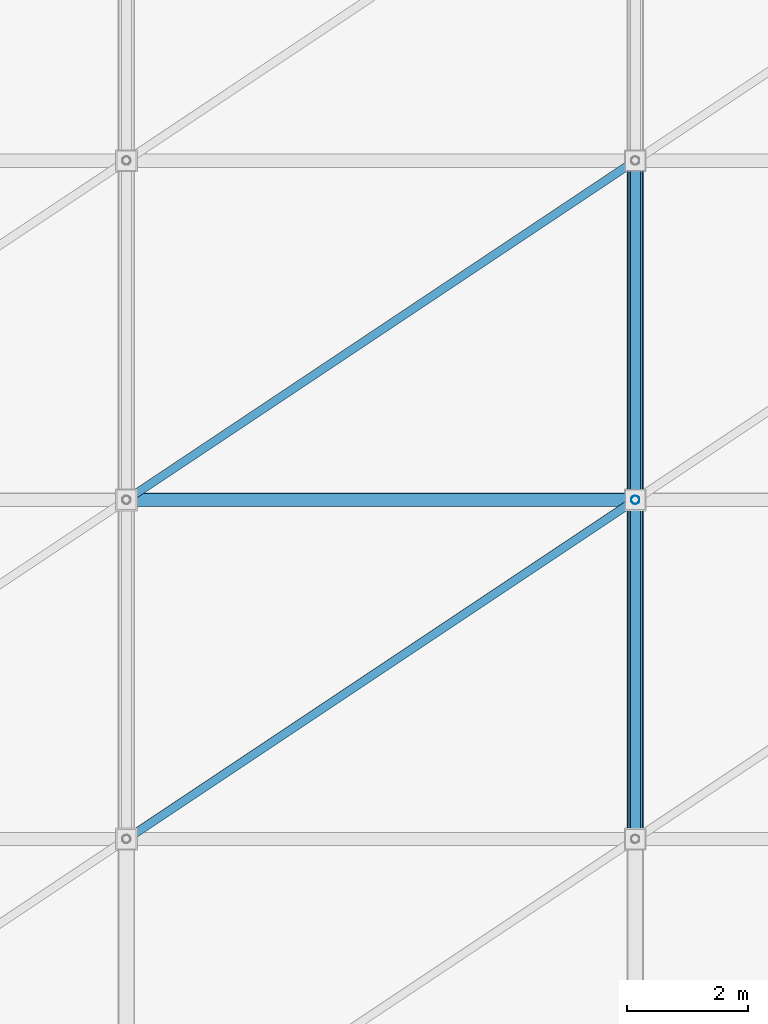
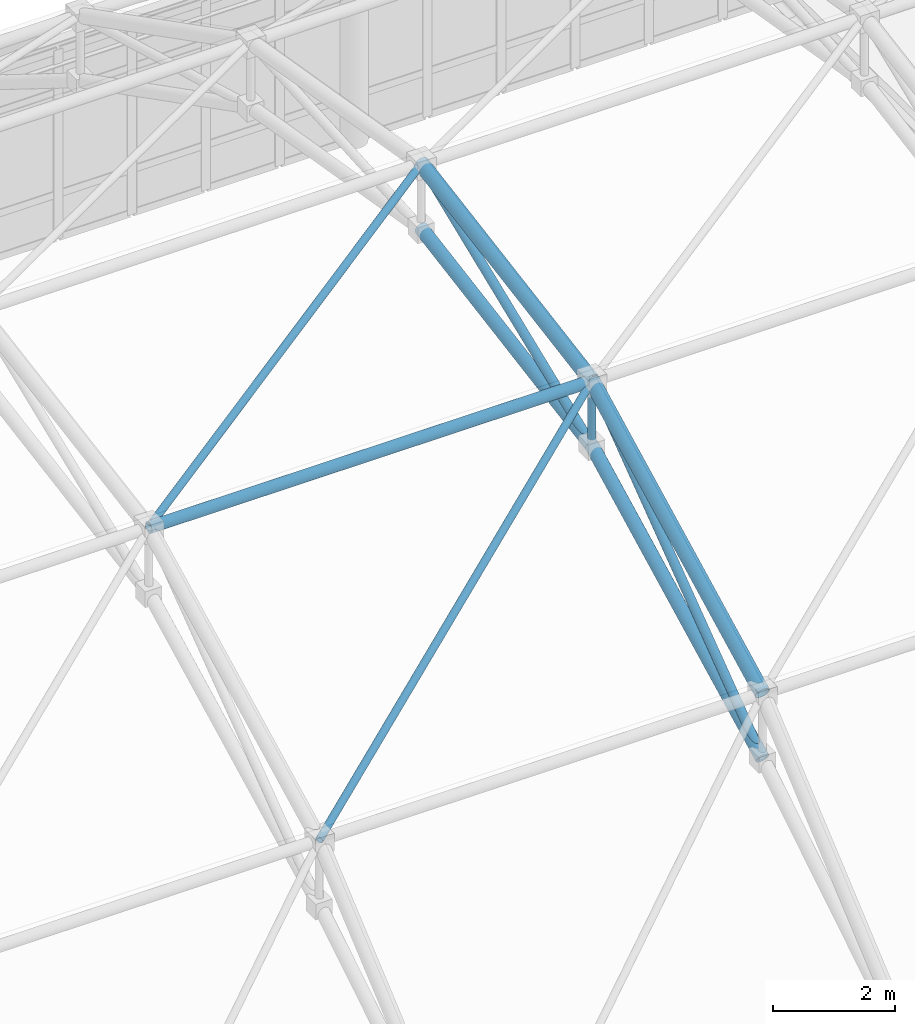
# One storey, part 73 of 184: 10 members.
"""IFC4 building model written with IfcOpenShell, lengths in metres."""

from ifc_helpers import new_model, si_unit, direction, frame, origin, origin_2d, place, context, subcontext, project, spatial, hollow_circle, extrude, material, material_profile, profile_set, type_object, element, save


model = new_model("IFC4")

# Units and contexts
model_context = context("Model", 3, precision=1e-05, world=origin(), true_north=direction((0.0, 1.0)))
body_context = subcontext(model_context, "Body", "Model", "MODEL_VIEW")
ifc_project = project(units=[si_unit("LENGTHUNIT", "METRE"), si_unit("AREAUNIT", "SQUARE_METRE"), si_unit("VOLUMEUNIT", "CUBIC_METRE"), si_unit("PLANEANGLEUNIT", "RADIAN"), si_unit("MASSUNIT", "GRAM", prefix="KILO")], contexts=[model_context])

# Site, building, storey
site_placement = place(None, origin())
site = spatial("IfcSite", under=ifc_project, at=site_placement, CompositionType="ELEMENT")
building_placement = place(site_placement, origin())
building = spatial("IfcBuilding", under=site, at=building_placement, Name="Qalvenar Corner Mobility Hub", CompositionType="ELEMENT")
storey_placement = place(building_placement, frame((0.0, 0.0, 9.0)))
storey = spatial("IfcBuildingStorey", under=building, at=storey_placement, Name="L02", CompositionType="ELEMENT", Elevation=9.0)

# Members
ifc_material = material(Name="Steel S355", Category="steel")
ifc_material_profile_1 = material_profile(ifc_material, hollow_circle(Radius=0.109619140625, WallThickness=0.008056640625, at=origin_2d()), Name="CHS219.1x8")
ifc_profile_set_1 = profile_set([ifc_material_profile_1], Name="Steel S355")
member_type_1 = type_object("IfcMemberType", Name="SF-CHD219", PredefinedType="CHORD", material=ifc_profile_set_1)
member_1_placement = place(storey_placement, frame((84.0, 11.199951171875, 11.704345703125), z_axis=(1.0, 0.0, 0.0), x_axis=(0.0, 1.0, 0.0)))
element("IfcMember", 1, at=member_1_placement, inside=storey, type_object=member_type_1, Name="Space Frame Longitudinal Chord SFL-0214", PredefinedType="CHORD", context=body_context, shape_type="SweptSolid", body=[
    extrude(hollow_circle(Radius=0.109619140625, WallThickness=0.008056640625, at=origin_2d()), origin(), (0.0, 0.0, 1.0), 8.39990234375),
])
ifc_material_profile_2 = material_profile(ifc_material, hollow_circle(Radius=0.122314453125, WallThickness=0.0087890625, at=origin_2d()), Name="CHS244.5x8.8")
ifc_profile_set_2 = profile_set([ifc_material_profile_2], Name="Steel S355")
member_type_2 = type_object("IfcMemberType", Name="SF-CHD244", PredefinedType="CHORD", material=ifc_profile_set_2)
member_2_placement = place(storey_placement, frame((92.39990234375, 5.60009765625, 7.537841796875), z_axis=(0.0, 0.890157020212, 0.455653903052), x_axis=(-1.0, 0.0, 0.0)))
element("IfcMember", 2, at=member_2_placement, inside=storey, type_object=member_type_2, Name="Space Frame Bottom Chord SFBC-0109", PredefinedType="CHORD", context=body_context, shape_type="SweptSolid", body=[
    extrude(hollow_circle(Radius=0.122314453125, WallThickness=0.0087890625, at=origin_2d()), origin(), (0.0, 0.0, 1.0), 6.290771484375),
])
member_3_placement = place(storey_placement, frame((92.39990234375, 11.199951171875, 10.404296875), z_axis=(0.0, 0.985745292256, 0.168244520847), x_axis=(-1.0, 0.0, 0.0)))
element("IfcMember", 3, at=member_3_placement, inside=storey, type_object=member_type_2, Name="Space Frame Bottom Chord SFBC-0112", PredefinedType="CHORD", context=body_context, shape_type="SweptSolid", body=[
    extrude(hollow_circle(Radius=0.122314453125, WallThickness=0.0087890625, at=origin_2d()), origin(), (0.0, 0.0, 1.0), 5.68115234375),
])
ifc_material_profile_3 = material_profile(ifc_material, hollow_circle(Radius=0.136474609375, WallThickness=0.010009765625, at=origin_2d()), Name="CHS273x10")
ifc_profile_set_3 = profile_set([ifc_material_profile_3], Name="Steel S355")
member_type_3 = type_object("IfcMemberType", Name="SF-CHD273", PredefinedType="CHORD", material=ifc_profile_set_3)
member_4_placement = place(storey_placement, frame((92.39990234375, 5.60009765625, 8.837890625), z_axis=(0.0, 0.890157020212, 0.455653903052), x_axis=(-1.0, 0.0, 0.0)))
element("IfcMember", 4, at=member_4_placement, inside=storey, type_object=member_type_3, Name="Space Frame Top Chord SFTC-0108", PredefinedType="CHORD", context=body_context, shape_type="SweptSolid", body=[
    extrude(hollow_circle(Radius=0.136474609375, WallThickness=0.010009765625, at=origin_2d()), origin(), (0.0, 0.0, 1.0), 6.290771484375),
])
member_5_placement = place(storey_placement, frame((92.39990234375, 11.199951171875, 11.704345703125), z_axis=(0.0, 0.985752418555, 0.1682027625), x_axis=(-1.0, 0.0, 0.0)))
element("IfcMember", 5, at=member_5_placement, inside=storey, type_object=member_type_3, Name="Space Frame Top Chord SFTC-0111", PredefinedType="CHORD", context=body_context, shape_type="SweptSolid", body=[
    extrude(hollow_circle(Radius=0.136474609375, WallThickness=0.010009765625, at=origin_2d()), origin(), (0.0, 0.0, 1.0), 5.68115234375),
])
ifc_material_profile_4 = material_profile(ifc_material, hollow_circle(Radius=0.06982421875, WallThickness=0.0048828125, at=origin_2d()), Name="CHS139.7x5")
ifc_profile_set_4 = profile_set([ifc_material_profile_4], Name="Steel S355")
member_type_4 = type_object("IfcMemberType", Name="SF-STR139", PredefinedType="STRUT", material=ifc_profile_set_4)
member_6_placement = place(storey_placement, frame((92.39990234375, 11.199951171875, 10.404296875), z_axis=(0.0, 0.0, 1.0), x_axis=(1.0, 0.0, 0.0)))
element("IfcMember", 6, at=member_6_placement, inside=storey, type_object=member_type_4, Name="Space Frame King Strut SFV-0123", PredefinedType="STRUT", context=body_context, shape_type="SweptSolid", body=[
    extrude(hollow_circle(Radius=0.06982421875, WallThickness=0.0048828125, at=origin_2d()), origin(), (0.0, 0.0, 1.0), 1.300048828125),
])
member_7_placement = place(storey_placement, frame((84.0, 5.60009765625, 8.837890625), z_axis=(0.800414492238, 0.53360190689, 0.273140340445), x_axis=(-0.554694615428, 0.832054014842, 0.0)))
element("IfcMember", 7, at=member_7_placement, inside=storey, type_object=member_type_4, Name="Space Frame Plan Strut SFP-0219", PredefinedType="STRUT", context=body_context, shape_type="SweptSolid", body=[
    extrude(hollow_circle(Radius=0.06982421875, WallThickness=0.0048828125, at=origin_2d()), origin(), (0.0, 0.0, 1.0), 10.494384765625),
])
member_8_placement = place(storey_placement, frame((84.0, 11.199951171875, 11.704345703125), z_axis=(0.828340531995, 0.552243071642, 0.094231379475), x_axis=(-0.554711357594, 0.832042853317, 0.0)))
element("IfcMember", 8, at=member_8_placement, inside=storey, type_object=member_type_4, Name="Space Frame Plan Strut SFP-0220", PredefinedType="STRUT", context=body_context, shape_type="SweptSolid", body=[
    extrude(hollow_circle(Radius=0.06982421875, WallThickness=0.0048828125, at=origin_2d()), origin(), (0.0, 0.0, 1.0), 10.140625),
])
ifc_material_profile_5 = material_profile(ifc_material, hollow_circle(Radius=0.084228515625, WallThickness=0.00634765625, at=origin_2d()), Name="CHS168.3x6.3")
ifc_profile_set_5 = profile_set([ifc_material_profile_5], Name="Steel S355")
member_type_5 = type_object("IfcMemberType", Name="SF-STR168", PredefinedType="STRUT", material=ifc_profile_set_5)
member_9_placement = place(storey_placement, frame((92.39990234375, 5.60009765625, 7.537841796875), z_axis=(0.0, 0.802290097952, 0.596934333682), x_axis=(-1.0, 0.0, 0.0)))
element("IfcMember", 9, at=member_9_placement, inside=storey, type_object=member_type_5, Name="Space Frame Web Strut SFD-0110", PredefinedType="STRUT", context=body_context, shape_type="SweptSolid", body=[
    extrude(hollow_circle(Radius=0.084228515625, WallThickness=0.00634765625, at=origin_2d()), origin(), (0.0, 0.0, 1.0), 6.979736328125),
])
member_10_placement = place(storey_placement, frame((92.39990234375, 11.199951171875, 10.404296875), z_axis=(0.0, 0.927584374155, 0.37361374282), x_axis=(-1.0, 0.0, 0.0)))
element("IfcMember", 10, at=member_10_placement, inside=storey, type_object=member_type_5, Name="Space Frame Web Strut SFD-0113", PredefinedType="STRUT", context=body_context, shape_type="SweptSolid", body=[
    extrude(hollow_circle(Radius=0.084228515625, WallThickness=0.00634765625, at=origin_2d()), origin(), (0.0, 0.0, 1.0), 6.037353515625),
])

save(model, "model.ifc")
